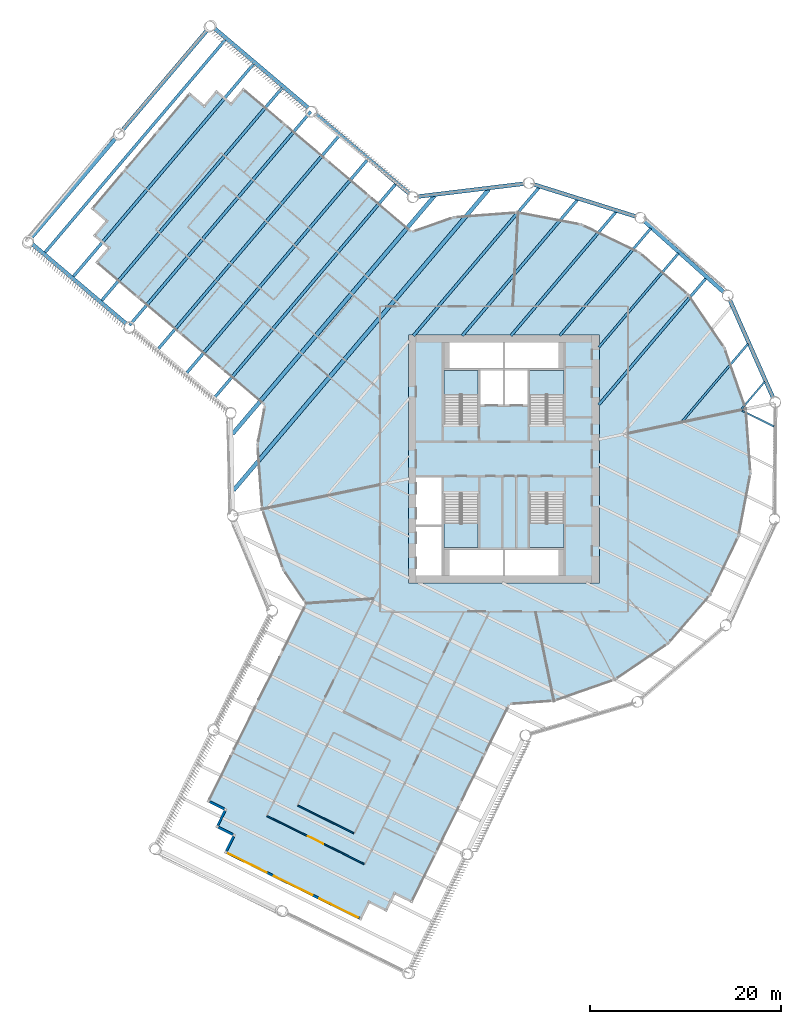
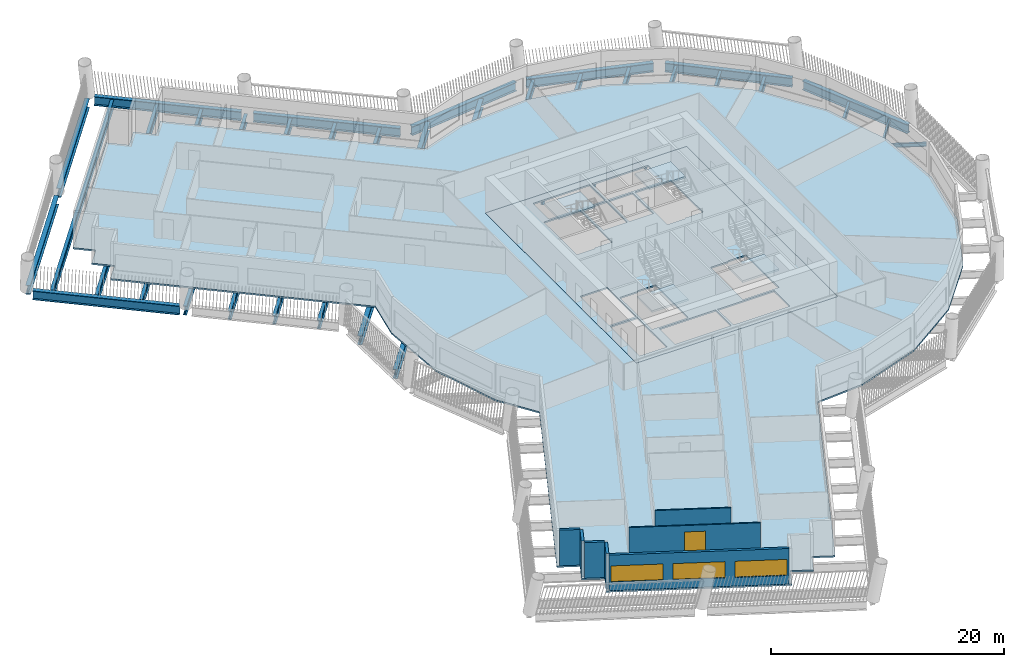
# One storey, part 2 of 16: 27 beams, 7 walls, 6 slabs, 3 windows, 1 door, 4 openings, 4 elements without a shape of their own.
"""IFC4 building model written with IfcOpenShell, lengths in metres."""

from ifc_helpers import new_model, si_unit, direction, frame, frame_2d, origin, origin_2d, place, context, subcontext, project, spatial, polyline, rectangle, i_section, outline, extrude, material, layer, layer_set, material_profile, profile_set, type_object, element, fill, aggregate, save


model = new_model("IFC4")

# Units and contexts
model_context = context("Model", 3, precision=1e-05, world=origin(), true_north=direction((0.0, 1.0)))
body_context = subcontext(model_context, "Body", "Model", "MODEL_VIEW")
ifc_project = project(units=[si_unit("LENGTHUNIT", "METRE"), si_unit("AREAUNIT", "SQUARE_METRE"), si_unit("VOLUMEUNIT", "CUBIC_METRE"), si_unit("PLANEANGLEUNIT", "RADIAN"), si_unit("MASSUNIT", "GRAM", prefix="KILO")], contexts=[model_context])

# Site, building, storey
site_placement = place(None, origin())
site = spatial("IfcSite", under=ifc_project, at=site_placement, CompositionType="ELEMENT")
building_placement = place(site_placement, origin())
building = spatial("IfcBuilding", under=site, at=building_placement, Name="Tarsis Ring Headquarters", CompositionType="ELEMENT")
storey_placement = place(building_placement, frame((0.0, 0.0, 104.5)))
storey = spatial("IfcBuildingStorey", under=building, at=storey_placement, Name="L23", CompositionType="ELEMENT", Elevation=104.5)

# Beams
ifc_material_1 = material(Name="Structural steel S355", Category="steel")
ifc_material_profile_1 = material_profile(ifc_material_1, i_section(OverallWidth=0.177734375, OverallDepth=0.406494140625, WebThickness=0.0078125, FlangeThickness=0.0126953125, at=origin_2d()), Name="W16x40")
ifc_profile_set_1 = profile_set([ifc_material_profile_1], Name="Structural steel S355")
beam_type_1 = type_object("IfcBeamType", Name="FB Floor beam W16x40", PredefinedType="JOIST", material=ifc_profile_set_1)
for number, where, z_axis, x_axis, name in (
    (1, (24.947998046875, 5.071044921875, -0.36328125), (0.896505373909, -0.44303285945, 0.0), (0.44303285945, 0.896505373909, 0.0), "Floor beam FB1"),
    (2, (27.330322265625, 8.107666015625, -0.36328125), (-0.646790049197, -0.762668100985, 0.0), (0.762668100985, -0.646790049197, 0.0), "Floor beam FB1"),
):
    element("IfcBeam", number, at=place(storey_placement, frame(where, z_axis=z_axis, x_axis=x_axis)), inside=storey, type_object=beam_type_1, Name=name, PredefinedType="JOIST", context=body_context, shape_type="SweptSolid", body=[
        extrude(i_section(OverallWidth=0.177734375, OverallDepth=0.406494140625, WebThickness=0.0078125, FlangeThickness=0.0126953125, at=origin_2d()), origin(), (0.0, 0.0, 1.0), 3.74169921875),
    ])
ifc_material_profile_2 = material_profile(ifc_material_1, i_section(OverallWidth=0.228271484375, OverallDepth=0.607177734375, WebThickness=0.01123046875, FlangeThickness=0.017333984375, at=origin_2d()), Name="W24x76")
ifc_profile_set_2 = profile_set([ifc_material_profile_2], Name="Structural steel S355")
beam_type_2 = type_object("IfcBeamType", Name="FB Floor beam W24x76", PredefinedType="JOIST", material=ifc_profile_set_2)
beam_1_placement = place(storey_placement, frame((25.576904296875, 12.06982421875, -0.463623046875), z_axis=(-0.64679194225, -0.762666495554, 0.0), x_axis=(0.762666495554, -0.64679194225, 0.0)))
element("IfcBeam", 3, at=beam_1_placement, inside=storey, type_object=beam_type_2, Name="Floor beam FB4", PredefinedType="JOIST", context=body_context, shape_type="SweptSolid", body=[
    extrude(i_section(OverallWidth=0.228271484375, OverallDepth=0.607177734375, WebThickness=0.01123046875, FlangeThickness=0.017333984375, at=origin_2d()), origin(), (0.0, 0.0, 1.0), 10.62109375),
])
ifc_material_profile_3 = material_profile(ifc_material_1, i_section(OverallWidth=0.2529296875, OverallDepth=0.67822265625, WebThickness=0.01171875, FlangeThickness=0.016357421875, at=origin_2d()), Name="W27x84")
ifc_profile_set_3 = profile_set([ifc_material_profile_3], Name="Structural steel S355")
beam_type_3 = type_object("IfcBeamType", Name="FB Floor beam W27x84", PredefinedType="JOIST", material=ifc_profile_set_3)
beam_2_placement = place(storey_placement, frame((18.299560546875, 21.578125, -0.4990234375), z_axis=(-0.646789829368, -0.762668287414, 0.0), x_axis=(0.762668287414, -0.646789829368, 0.0)))
element("IfcBeam", 4, at=beam_2_placement, inside=storey, type_object=beam_type_3, Name="Floor beam FB5", PredefinedType="JOIST", context=body_context, shape_type="SweptSolid", body=[
    extrude(i_section(OverallWidth=0.2529296875, OverallDepth=0.67822265625, WebThickness=0.01171875, FlangeThickness=0.016357421875, at=origin_2d()), origin(), (0.0, 0.0, 1.0), 12.931884765625),
])
ifc_material_profile_4 = material_profile(ifc_material_1, i_section(OverallWidth=0.2666015625, OverallDepth=0.7568359375, WebThickness=0.013916015625, FlangeThickness=0.019287109375, at=origin_2d()), Name="W30x108")
ifc_profile_set_4 = profile_set([ifc_material_profile_4], Name="Structural steel S355")
beam_type_4 = type_object("IfcBeamType", Name="FB Floor beam W30x108", PredefinedType="JOIST", material=ifc_profile_set_4)
beam_3_placement = place(storey_placement, frame((15.390625, 24.177734375, -0.538330078125), z_axis=(-0.646796988841, -0.762662215681, 0.0), x_axis=(0.762662215681, -0.646796988841, 0.0)))
element("IfcBeam", 5, at=beam_3_placement, inside=storey, type_object=beam_type_4, Name="Floor beam FB6", PredefinedType="JOIST", context=body_context, shape_type="SweptSolid", body=[
    extrude(i_section(OverallWidth=0.2666015625, OverallDepth=0.7568359375, WebThickness=0.013916015625, FlangeThickness=0.019287109375, at=origin_2d()), origin(), (0.0, 0.0, 1.0), 14.756103515625),
])
ifc_material_profile_5 = material_profile(ifc_material_1, i_section(OverallWidth=0.2919921875, OverallDepth=0.835693359375, WebThickness=0.013916015625, FlangeThickness=0.018798828125, at=origin_2d()), Name="W33x118")
ifc_profile_set_5 = profile_set([ifc_material_profile_5], Name="Structural steel S355")
beam_type_5 = type_object("IfcBeamType", Name="FB Floor beam W33x118", PredefinedType="JOIST", material=ifc_profile_set_5)
beam_4_placement = place(storey_placement, frame((21.20849609375, 18.978515625, -0.577880859375), z_axis=(-0.646787645153, -0.762670139757, 0.0), x_axis=(0.762670139757, -0.646787645153, 0.0)))
element("IfcBeam", 6, at=beam_4_placement, inside=storey, type_object=beam_type_5, Name="Floor beam FB7", PredefinedType="JOIST", context=body_context, shape_type="SweptSolid", body=[
    extrude(i_section(OverallWidth=0.2919921875, OverallDepth=0.835693359375, WebThickness=0.013916015625, FlangeThickness=0.018798828125, at=origin_2d()), origin(), (0.0, 0.0, 1.0), 17.429443359375),
])
beam_5_placement = place(storey_placement, frame((11.771240234375, 25.93994140625, -0.577880859375), z_axis=(-0.646785119599, -0.762672281563, 0.0), x_axis=(0.762672281563, -0.646785119599, 0.0)))
element("IfcBeam", 7, at=beam_5_placement, inside=storey, type_object=beam_type_5, Name="Floor beam FB7", PredefinedType="JOIST", context=body_context, shape_type="SweptSolid", body=[
    extrude(i_section(OverallWidth=0.2919921875, OverallDepth=0.835693359375, WebThickness=0.013916015625, FlangeThickness=0.018798828125, at=origin_2d()), origin(), (0.0, 0.0, 1.0), 17.06640625),
])
ifc_material_profile_6 = material_profile(ifc_material_1, i_section(OverallWidth=0.3046875, OverallDepth=0.904296875, WebThickness=0.01513671875, FlangeThickness=0.02001953125, at=origin_2d()), Name="W36x135")
ifc_profile_set_6 = profile_set([ifc_material_profile_6], Name="Structural steel S355")
beam_type_6 = type_object("IfcBeamType", Name="FB Floor beam W36x135", PredefinedType="JOIST", material=ifc_profile_set_6)
beam_6_placement = place(storey_placement, frame((7.733642578125, 27.20849609375, -0.612060546875), z_axis=(-0.64679669048, -0.762662468713, 0.0), x_axis=(0.762662468713, -0.64679669048, 0.0)))
element("IfcBeam", 8, at=beam_6_placement, inside=storey, type_object=beam_type_6, Name="Floor beam FB8", PredefinedType="JOIST", context=body_context, shape_type="SweptSolid", body=[
    extrude(i_section(OverallWidth=0.3046875, OverallDepth=0.904296875, WebThickness=0.01513671875, FlangeThickness=0.02001953125, at=origin_2d()), origin(), (0.0, 0.0, 1.0), 18.72998046875),
])
beam_7_placement = place(storey_placement, frame((3.696044921875, 28.477294921875, -0.612060546875), z_axis=(-0.646793504949, -0.762665170278, 0.0), x_axis=(0.762665170278, -0.646793504949, 0.0)))
element("IfcBeam", 9, at=beam_7_placement, inside=storey, type_object=beam_type_6, Name="Floor beam FB8", PredefinedType="JOIST", context=body_context, shape_type="SweptSolid", body=[
    extrude(i_section(OverallWidth=0.3046875, OverallDepth=0.904296875, WebThickness=0.01513671875, FlangeThickness=0.02001953125, at=origin_2d()), origin(), (0.0, 0.0, 1.0), 20.3935546875),
])
ifc_material_profile_7 = material_profile(ifc_material_1, i_section(OverallWidth=0.309814453125, OverallDepth=0.949951171875, WebThickness=0.0244140625, FlangeThickness=0.0439453125, at=origin_2d()), Name="W36x256")
ifc_profile_set_7 = profile_set([ifc_material_profile_7], Name="Structural steel S355")
beam_type_7 = type_object("IfcBeamType", Name="FB Floor beam W36x256", PredefinedType="JOIST", material=ifc_profile_set_7)
for number, where, z_axis, x_axis, name in (
    (10, (-11.32080078125, 28.859375, -0.635009765625), (-0.646789414375, -0.762668639353, 0.0), (0.762668639353, -0.646789414375, 0.0), "Floor beam FB11"),
    (11, (-14.295166015625, 31.3818359375, -0.635009765625), (-0.646789414375, -0.762668639353, 0.0), (0.762668639353, -0.646789414375, 0.0), "Floor beam FB11"),
):
    element("IfcBeam", number, at=place(storey_placement, frame(where, z_axis=z_axis, x_axis=x_axis)), inside=storey, type_object=beam_type_7, Name=name, PredefinedType="JOIST", context=body_context, shape_type="SweptSolid", body=[
        extrude(i_section(OverallWidth=0.309814453125, OverallDepth=0.949951171875, WebThickness=0.0244140625, FlangeThickness=0.0439453125, at=origin_2d()), origin(), (0.0, 0.0, 1.0), 29.3759765625),
    ])
beam_8_placement = place(storey_placement, frame((-17.269775390625, 33.904296875, -0.635009765625), z_axis=(-0.646784580175, -0.762672739022, 0.0), x_axis=(0.762672739022, -0.646784580175, 0.0)))
element("IfcBeam", 12, at=beam_8_placement, inside=storey, type_object=beam_type_7, Name="Floor beam FB11", PredefinedType="JOIST", context=body_context, shape_type="SweptSolid", body=[
    extrude(i_section(OverallWidth=0.309814453125, OverallDepth=0.949951171875, WebThickness=0.0244140625, FlangeThickness=0.0439453125, at=origin_2d()), origin(), (0.0, 0.0, 1.0), 29.375732421875),
])
for number, where, z_axis, x_axis, name in (
    (13, (-20.244140625, 36.4267578125, -0.635009765625), (-0.646789414375, -0.762668639353, 0.0), (0.762668639353, -0.646789414375, 0.0), "Floor beam FB11"),
    (14, (-23.218505859375, 38.94921875, -0.635009765625), (-0.646789414375, -0.762668639353, 0.0), (0.762668639353, -0.646789414375, 0.0), "Floor beam FB11"),
):
    element("IfcBeam", number, at=place(storey_placement, frame(where, z_axis=z_axis, x_axis=x_axis)), inside=storey, type_object=beam_type_7, Name=name, PredefinedType="JOIST", context=body_context, shape_type="SweptSolid", body=[
        extrude(i_section(OverallWidth=0.309814453125, OverallDepth=0.949951171875, WebThickness=0.0244140625, FlangeThickness=0.0439453125, at=origin_2d()), origin(), (0.0, 0.0, 1.0), 29.3759765625),
    ])
for number, where, z_axis, x_axis, name in (
    (15, (-26.19287109375, 41.4716796875, -0.635009765625), (-0.646793514055, -0.762665162556, 0.0), (0.762665162556, -0.646793514055, 0.0), "Floor beam FB11"),
    (16, (-29.167236328125, 43.994140625, -0.635009765625), (-0.646793514055, -0.762665162556, 0.0), (0.762665162556, -0.646793514055, 0.0), "Floor beam FB11"),
):
    element("IfcBeam", number, at=place(storey_placement, frame(where, z_axis=z_axis, x_axis=x_axis)), inside=storey, type_object=beam_type_7, Name=name, PredefinedType="JOIST", context=body_context, shape_type="SweptSolid", body=[
        extrude(i_section(OverallWidth=0.309814453125, OverallDepth=0.949951171875, WebThickness=0.0244140625, FlangeThickness=0.0439453125, at=origin_2d()), origin(), (0.0, 0.0, 1.0), 29.375732421875),
    ])
ifc_material_profile_8 = material_profile(ifc_material_1, i_section(OverallWidth=0.42431640625, OverallDepth=0.947509765625, WebThickness=0.02392578125, FlangeThickness=0.042724609375, at=origin_2d()), Name="W36x302")
ifc_profile_set_8 = profile_set([ifc_material_profile_8], Name="Structural steel S355")
beam_type_8 = type_object("IfcBeamType", Name="FB Floor beam W36x302", PredefinedType="JOIST", material=ifc_profile_set_8)
beam_9_placement = place(storey_placement, frame((-1.598388671875, 28.263916015625, -0.6337890625), z_axis=(-0.64679217295, -0.762666299905, 0.0), x_axis=(0.762666299905, -0.64679217295, 0.0)))
element("IfcBeam", 17, at=beam_9_placement, inside=storey, type_object=beam_type_8, Name="Floor beam FB12", PredefinedType="JOIST", context=body_context, shape_type="SweptSolid", body=[
    extrude(i_section(OverallWidth=0.42431640625, OverallDepth=0.947509765625, WebThickness=0.02392578125, FlangeThickness=0.042724609375, at=origin_2d()), origin(), (0.0, 0.0, 1.0), 41.35302734375),
])
beam_10_placement = place(storey_placement, frame((-7.296875, 27.57470703125, -0.6337890625), z_axis=(-0.646789480477, -0.762668583295, 0.0), x_axis=(0.762668583295, -0.646789480477, 0.0)))
element("IfcBeam", 18, at=beam_10_placement, inside=storey, type_object=beam_type_8, Name="Floor beam FB12", PredefinedType="JOIST", context=body_context, shape_type="SweptSolid", body=[
    extrude(i_section(OverallWidth=0.42431640625, OverallDepth=0.947509765625, WebThickness=0.02392578125, FlangeThickness=0.042724609375, at=origin_2d()), origin(), (0.0, 0.0, 1.0), 32.704833984375),
])
beam_type_9 = type_object("IfcBeamType", Name="XG Ring girder W36x302", PredefinedType="BEAM", material=ifc_profile_set_8)
beam_11_placement = place(storey_placement, frame((28.232177734375, 6.37158203125, -0.4736328125), z_axis=(-0.404681356171, 0.914457762812, 0.0), x_axis=(-0.914457762812, -0.404681356171, 0.0)))
element("IfcBeam", 19, at=beam_11_placement, inside=storey, type_object=beam_type_9, Name="Ring girder XG1", PredefinedType="BEAM", context=body_context, shape_type="SweptSolid", body=[
    extrude(i_section(OverallWidth=0.42431640625, OverallDepth=0.947509765625, WebThickness=0.02392578125, FlangeThickness=0.042724609375, at=origin_2d()), origin(), (0.0, 0.0, 1.0), 11.197021484375),
])
for number, where, z_axis, x_axis, name in (
    (20, (23.095947265625, 17.442138671875, -0.4736328125), (-0.74564434525, 0.666344138113, 0.0), (-0.666344138113, -0.74564434525, 0.0), "Ring girder XG1"),
    (21, (13.853271484375, 25.411376953125, -0.4736328125), (-0.954009752246, 0.299775570418, 0.0), (-0.299775570418, -0.954009752246, 0.0), "Ring girder XG1"),
    (22, (2.1474609375, 28.862548828125, -0.4736328125), (-0.992759883451, -0.120115834972, 0.0), (0.120115834972, -0.992759883451, 0.0), "Ring girder XG1"),
):
    element("IfcBeam", number, at=place(storey_placement, frame(where, z_axis=z_axis, x_axis=x_axis)), inside=storey, type_object=beam_type_9, Name=name, PredefinedType="BEAM", context=body_context, shape_type="SweptSolid", body=[
        extrude(i_section(OverallWidth=0.42431640625, OverallDepth=0.947509765625, WebThickness=0.02392578125, FlangeThickness=0.042724609375, at=origin_2d()), origin(), (0.0, 0.0, 1.0), 11.197265625),
    ])
for number, where, z_axis, x_axis, name in (
    (23, (-9.891845703125, 27.79443359375, -0.4736328125), (-0.762664466678, 0.646794334597, 0.0), (-0.646794334597, -0.762664466678, 0.0), "Ring girder XG1"),
    (24, (-20.49462890625, 36.7861328125, -0.4736328125), (-0.762664466678, 0.646794334597, 0.0), (-0.646794334597, -0.762664466678, 0.0), "Ring girder XG1"),
):
    element("IfcBeam", number, at=place(storey_placement, frame(where, z_axis=z_axis, x_axis=x_axis)), inside=storey, type_object=beam_type_9, Name=name, PredefinedType="BEAM", context=body_context, shape_type="SweptSolid", body=[
        extrude(i_section(OverallWidth=0.42431640625, OverallDepth=0.947509765625, WebThickness=0.02392578125, FlangeThickness=0.042724609375, at=origin_2d()), origin(), (0.0, 0.0, 1.0), 12.850830078125),
    ])
for number, where, z_axis, x_axis, name in (
    (25, (-31.036376953125, 45.037109375, -0.4736328125), (-0.646785639791, -0.762671840414, 0.0), (0.762671840414, -0.646785639791, 0.0), "Ring girder XG1"),
    (26, (-40.60888671875, 33.74951171875, -0.4736328125), (-0.646785639791, -0.762671840414, 0.0), (0.762671840414, -0.646785639791, 0.0), "Ring girder XG1"),
):
    element("IfcBeam", number, at=place(storey_placement, frame(where, z_axis=z_axis, x_axis=x_axis)), inside=storey, type_object=beam_type_9, Name=name, PredefinedType="BEAM", context=body_context, shape_type="SweptSolid", body=[
        extrude(i_section(OverallWidth=0.42431640625, OverallDepth=0.947509765625, WebThickness=0.02392578125, FlangeThickness=0.042724609375, at=origin_2d()), origin(), (0.0, 0.0, 1.0), 13.74853515625),
    ])
beam_12_placement = place(storey_placement, frame((-49.4404296875, 22.52294921875, -0.4736328125), z_axis=(0.762664466678, -0.646794334597, 0.0), x_axis=(0.646794334597, 0.762664466678, 0.0)))
element("IfcBeam", 27, at=beam_12_placement, inside=storey, type_object=beam_type_9, Name="Ring girder XG1", PredefinedType="BEAM", context=body_context, shape_type="SweptSolid", body=[
    extrude(i_section(OverallWidth=0.42431640625, OverallDepth=0.947509765625, WebThickness=0.02392578125, FlangeThickness=0.042724609375, at=origin_2d()), origin(), (0.0, 0.0, 1.0), 12.850830078125),
])

# Slab
ifc_material_2 = material(Name="Concrete C40/50", Category="concrete")
ifc_layer_1 = layer(ifc_material_2, 0.159912109375)
ifc_layer_set_1 = layer_set([ifc_layer_1], Name="Core floor slab 160 C40/50")
slab_type_1 = type_object("IfcSlabType", Name="Core floor slab 160 C40/50", PredefinedType="FLOOR", material=ifc_layer_set_1)
slab_1_placement = place(storey_placement, frame((0.0, 0.0, -0.159912109375)))
element("IfcSlab", 28, at=slab_1_placement, inside=storey, type_object=slab_type_1, Name="L23 core floor slab", PredefinedType="FLOOR", context=body_context, shape_type="SweptSolid", body=[
    extrude(outline(polyline([(-10.0, -13.0), (10.0, -13.0), (10.0, 13.0), (-10.0, 13.0), (-10.0, -13.0)]), holes=[polyline([(-2.5, 5.699951171875), (-0.10009765625, 5.699951171875), (-0.10009765625, 9.300048828125), (-2.5, 9.300048828125), (-2.5, 5.699951171875)]), polyline([(0.10009765625, 5.699951171875), (2.5, 5.699951171875), (2.5, 9.300048828125), (0.10009765625, 9.300048828125), (0.10009765625, 5.699951171875)]), polyline([(-9.199951171875, -12.199951171875), (-6.5, -12.199951171875), (-6.5, -7.10009765625), (-9.199951171875, -7.10009765625), (-9.199951171875, -12.199951171875)]), polyline([(-9.199951171875, -6.89990234375), (-6.5, -6.89990234375), (-6.5, -1.89990234375), (-9.199951171875, -1.89990234375), (-9.199951171875, -6.89990234375)]), polyline([(-5.699951171875, 9.5), (-0.10009765625, 9.5), (-0.10009765625, 12.199951171875), (-5.699951171875, 12.199951171875), (-5.699951171875, 9.5)]), polyline([(0.10009765625, 9.5), (5.699951171875, 9.5), (5.699951171875, 12.199951171875), (0.10009765625, 12.199951171875), (0.10009765625, 9.5)]), polyline([(-5.699951171875, -12.199951171875), (-0.10009765625, -12.199951171875), (-0.10009765625, -9.5), (-5.699951171875, -9.5), (-5.699951171875, -12.199951171875)]), polyline([(0.10009765625, -12.199951171875), (5.699951171875, -12.199951171875), (5.699951171875, -9.5), (0.10009765625, -9.5), (0.10009765625, -12.199951171875)]), polyline([(-2.699951171875, 3.760009765625), (-2.699951171875, 9.300048828125), (-6.300048828125, 9.300048828125), (-6.300048828125, 3.659912109375), (-4.4599609375, 3.659912109375), (-4.4599609375, 3.760009765625), (-2.699951171875, 3.760009765625)]), polyline([(6.300048828125, 3.760009765625), (6.300048828125, 9.300048828125), (2.699951171875, 9.300048828125), (2.699951171875, 3.659912109375), (4.5400390625, 3.659912109375), (4.5400390625, 3.760009765625), (6.300048828125, 3.760009765625)]), polyline([(-6.300048828125, -3.760009765625), (-6.300048828125, -9.300048828125), (-2.699951171875, -9.300048828125), (-2.699951171875, -3.659912109375), (-4.5400390625, -3.659912109375), (-4.5400390625, -3.760009765625), (-6.300048828125, -3.760009765625)]), polyline([(2.699951171875, -3.760009765625), (2.699951171875, -9.300048828125), (6.300048828125, -9.300048828125), (6.300048828125, -3.659912109375), (4.4599609375, -3.659912109375), (4.4599609375, -3.760009765625), (2.699951171875, -3.760009765625)])]), origin(), (0.0, 0.0, 1.0), 0.159912109375),
])

# Stair, slab
ifc_material_3 = material(Name="Core stair 1760")
stair_type = type_object("IfcStairType", Name="Core stair 1760", PredefinedType="HALF_TURN_STAIR", material=ifc_material_3)
stair_1_placement = place(storey_placement, origin())
stair_1 = element("IfcStair", 29, at=stair_1_placement, inside=storey, type_object=stair_type, Name="L23 Firefighting stair", PredefinedType="HALF_TURN_STAIR")
ifc_layer_2 = layer(ifc_material_2, 0.199951171875)
ifc_layer_set_2 = layer_set([ifc_layer_2], Name="Core stair landing 200")
slab_type_2 = type_object("IfcSlabType", Name="Core stair landing 200", PredefinedType="LANDING", material=ifc_layer_set_2)
slab_2_placement = place(storey_placement, frame((0.0, 0.0, 1.75)))
slab_2 = element("IfcSlab", 30, at=slab_2_placement, type_object=slab_type_2, Name="Stair ST1 landing 1", PredefinedType="LANDING", context=body_context, shape_type="SweptSolid", body=[
    extrude(outline(polyline([(-2.699951171875, 6.739990234375), (-2.699951171875, 9.300048828125), (-6.300048828125, 9.300048828125), (-6.300048828125, 6.739990234375), (-2.699951171875, 6.739990234375)])), origin(), (0.0, 0.0, 1.0), 0.199951171875),
])
aggregate(stair_1, [slab_2])

stair_2_placement = place(storey_placement, origin())
stair_2 = element("IfcStair", 31, at=stair_2_placement, inside=storey, type_object=stair_type, Name="L23 Exit stair B", PredefinedType="HALF_TURN_STAIR")
slab_3_placement = place(storey_placement, frame((0.0, 0.0, 1.75)))
slab_3 = element("IfcSlab", 32, at=slab_3_placement, type_object=slab_type_2, Name="Stair ST2 landing 1", PredefinedType="LANDING", context=body_context, shape_type="SweptSolid", body=[
    extrude(outline(polyline([(6.300048828125, 6.739990234375), (6.300048828125, 9.300048828125), (2.699951171875, 9.300048828125), (2.699951171875, 6.739990234375), (6.300048828125, 6.739990234375)])), origin(), (0.0, 0.0, 1.0), 0.199951171875),
])
aggregate(stair_2, [slab_3])

stair_3_placement = place(storey_placement, origin())
stair_3 = element("IfcStair", 33, at=stair_3_placement, inside=storey, type_object=stair_type, Name="L23 Exit stair C", PredefinedType="HALF_TURN_STAIR")
slab_4_placement = place(storey_placement, frame((0.0, 0.0, 1.75)))
slab_4 = element("IfcSlab", 34, at=slab_4_placement, type_object=slab_type_2, Name="Stair ST3 landing 1", PredefinedType="LANDING", context=body_context, shape_type="SweptSolid", body=[
    extrude(outline(polyline([(-6.300048828125, -6.739990234375), (-6.300048828125, -9.300048828125), (-2.699951171875, -9.300048828125), (-2.699951171875, -6.739990234375), (-6.300048828125, -6.739990234375)])), origin(), (0.0, 0.0, 1.0), 0.199951171875),
])
aggregate(stair_3, [slab_4])

stair_4_placement = place(storey_placement, origin())
stair_4 = element("IfcStair", 35, at=stair_4_placement, inside=storey, type_object=stair_type, Name="L23 Exit stair D", PredefinedType="HALF_TURN_STAIR")
slab_5_placement = place(storey_placement, frame((0.0, 0.0, 1.75)))
slab_5 = element("IfcSlab", 36, at=slab_5_placement, type_object=slab_type_2, Name="Stair ST4 landing 1", PredefinedType="LANDING", context=body_context, shape_type="SweptSolid", body=[
    extrude(outline(polyline([(2.699951171875, -6.739990234375), (2.699951171875, -9.300048828125), (6.300048828125, -9.300048828125), (6.300048828125, -6.739990234375), (2.699951171875, -6.739990234375)])), origin(), (0.0, 0.0, 1.0), 0.199951171875),
])
aggregate(stair_4, [slab_5])

# Slab
ifc_material_4 = material(Name="Concrete C35/45", Category="concrete")
ifc_layer_3 = layer(ifc_material_4, 0.159912109375)
ifc_layer_set_3 = layer_set([ifc_layer_3], Name="FS Composite floor slab 160")
slab_type_3 = type_object("IfcSlabType", Name="FS Composite floor slab 160", PredefinedType="FLOOR", material=ifc_layer_set_3)
slab_6_placement = place(storey_placement, frame((0.0, 0.0, -0.159912109375)))
element("IfcSlab", 37, at=slab_6_placement, inside=storey, type_object=slab_type_3, Name="Floor slab L23", PredefinedType="FLOOR", context=body_context, shape_type="SweptSolid", body=[
    extrude(outline(polyline([(-25.171630859375, 5.61279296875), (-25.956787109375, 1.49658203125), (-25.459716796875, -5.2724609375), (-23.2275390625, -11.682373046875), (-20.872314453125, -15.148193359375), (-31.13916015625, -35.921630859375), (-29.34619140625, -36.8076171875), (-30.232177734375, -38.6005859375), (-28.439208984375, -39.48681640625), (-29.325439453125, -41.27978515625), (-14.981689453125, -48.368896484375), (-14.095458984375, -46.575927734375), (-12.302490234375, -47.462158203125), (-11.41650390625, -45.669189453125), (-9.62353515625, -46.55517578125), (0.63427734375, -25.80029296875), (5.2724609375, -25.459716796875), (11.682373046875, -23.2275390625), (17.2958984375, -19.41259765625), (21.73095703125, -14.274658203125), (24.68505859375, -8.163818359375), (25.956787109375, -1.49658203125), (25.459716796875, 5.2724609375), (23.2275390625, 11.682373046875), (19.41259765625, 17.2958984375), (14.274658203125, 21.73095703125), (8.163818359375, 24.68505859375), (1.49658203125, 25.956787109375), (-5.2724609375, 25.459716796875), (-9.66455078125, 23.930419921875), (-27.3212890625, 38.904296875), (-28.61474609375, 37.37890625), (-30.14013671875, 38.672607421875), (-31.433837890625, 37.147216796875), (-32.958984375, 38.44091796875), (-43.3076171875, 26.238037109375), (-41.782470703125, 24.944580078125), (-43.075927734375, 23.419189453125), (-41.550537109375, 22.125732421875), (-42.84423828125, 20.600341796875), (-25.171630859375, 5.61279296875)]), holes=[polyline([(-10.0, -13.0), (-10.0, 13.0), (10.0, 13.0), (10.0, -13.0), (-10.0, -13.0)])]), origin(), (0.0, 0.0, 1.0), 0.159912109375),
])

# Wall, opening, door
ifc_material_5 = material(Name="Gypsum board on steel studs", Category="steel")
ifc_layer_4 = layer(ifc_material_5, 0.125)
ifc_layer_set_4 = layer_set([ifc_layer_4], Name="FL partition 125 EI 60 H2770")
wall_type_1 = type_object("IfcWallType", Name="FL partition 125 EI 60 H2770", PredefinedType="PARTITIONING", material=ifc_layer_set_4)
wall_1_placement = place(storey_placement, frame((-24.822021484375, -37.42626953125, 0.0), z_axis=(0.0, 0.0, 1.0), x_axis=(0.896488688413, -0.44306662202, 0.0)))
wall_1 = element("IfcWall", 38, at=wall_1_placement, inside=storey, type_object=wall_type_1, Name="Partition PW1", PredefinedType="PARTITIONING", context=body_context, shape_type="SweptSolid", body=[
    extrude(rectangle(XDim=11.340087890625, YDim=0.125, at=frame_2d((5.669921875, 0.0))), origin(), (0.0, 0.0, 1.0), 2.77001953125),
])
opening_1_placement = place(wall_1_placement, frame((4.77001953125, 0.0, 0.0)))
opening_1 = element("IfcOpeningElement", 39, at=opening_1_placement, cuts=wall_1, Name="Opening D23.13", PredefinedType="OPENING", context=body_context, shape_type="SweptSolid", body=[
    extrude(rectangle(XDim=1.800048828125, YDim=2.10009765625, at=frame_2d((0.89990234375, 1.050048828125))), frame((0.0, 0.072509765625, 0.0), z_axis=(0.0, -1.0, 0.0), x_axis=(1.0, 0.0, 0.0)), (0.0, 0.0, 1.0), 0.14501953125),
])
ifc_material_6 = material(Name="Fire-rated timber door leaf in steel frame", Category="steel")
door_type = type_object("IfcDoorType", Name="FL door FD60-1800", OperationType="DOUBLE_DOOR_SINGLE_SWING", PredefinedType="DOOR", material=ifc_material_6)
door_placement = place(opening_1_placement, origin())
door = element("IfcDoor", 40, at=door_placement, inside=storey, type_object=door_type, Name="Door D23.13", OperationType="DOUBLE_DOOR_SINGLE_SWING", OverallHeight=2.10009765625, OverallWidth=1.800048828125, PredefinedType="DOOR", context=body_context, shape_type="SweptSolid", body=[
    extrude(rectangle(XDim=1.800048828125, YDim=2.10009765625, at=frame_2d((0.89990234375, 1.050048828125))), frame((0.0, 0.02490234375, 0.0), z_axis=(0.0, -1.0, 0.0), x_axis=(1.0, 0.0, 0.0)), (0.0, 0.0, 1.0), 0.050048828125),
])
fill(opening_1, door)

# Walls
wall_2_placement = place(storey_placement, frame((-21.60693359375, -36.338134765625, 0.0), z_axis=(0.0, 0.0, 1.0), x_axis=(0.896500550186, -0.443042620429, 0.0)))
element("IfcWall", 41, at=wall_2_placement, inside=storey, type_object=wall_type_1, Name="Partition PW1", PredefinedType="PARTITIONING", context=body_context, shape_type="SweptSolid", body=[
    extrude(rectangle(XDim=6.539794921875, YDim=0.125, at=frame_2d((3.27001953125, 0.0))), origin(), (0.0, 0.0, 1.0), 2.77001953125),
])
ifc_material_7 = material(Name="Terracotta clad insulated panel wall", Category="masonry")
ifc_layer_5 = layer(ifc_material_7, 0.25)
ifc_layer_set_5 = layer_set([ifc_layer_5], Name="Facade wall terracotta panel 250")
wall_type_2 = type_object("IfcWallType", Name="Facade wall terracotta panel 250", PredefinedType="STANDARD", material=ifc_layer_set_5)
for number, where, z_axis, x_axis, name in (
    (42, (-30.859619140625, -35.920166015625, 0.0), (0.0, 0.0, 1.0), (0.89648238593, -0.44307937406, 0.0), "External wall L23-07"),
    (43, (-29.234130859375, -36.863037109375, 0.0), (0.0, 0.0, 1.0), (-0.44307937406, -0.89648238593, 0.0), "External wall L23-08"),
    (44, (-29.952880859375, -38.599365234375, 0.0), (0.0, 0.0, 1.0), (0.89648238593, -0.44307937406, 0.0), "External wall L23-09"),
    (45, (-28.3271484375, -39.542236328125, 0.0), (0.0, 0.0, 1.0), (-0.44307937406, -0.89648238593, 0.0), "External wall L23-10"),
):
    element("IfcWall", number, at=place(storey_placement, frame(where, z_axis=z_axis, x_axis=x_axis)), inside=storey, type_object=wall_type_2, Name=name, PredefinedType="STANDARD", context=body_context, shape_type="SweptSolid", body=[
        extrude(rectangle(XDim=1.75, YDim=0.25, at=frame_2d((0.875, 0.0))), origin(), (0.0, 0.0, 1.0), 3.739990234375),
    ])

# Wall, openings, windows
wall_3_placement = place(storey_placement, frame((-29.0458984375, -41.278564453125, 0.0), z_axis=(0.0, 0.0, 1.0), x_axis=(0.896490429911, -0.443063098302, 0.0)))
wall_3 = element("IfcWall", 46, at=wall_3_placement, inside=storey, type_object=wall_type_2, Name="External wall L23-11", PredefinedType="STANDARD", context=body_context, shape_type="SweptSolid", body=[
    extrude(rectangle(XDim=15.5, YDim=0.25, at=frame_2d((7.75, 0.0))), origin(), (0.0, 0.0, 1.0), 3.739990234375),
])
opening_2_placement = place(wall_3_placement, frame((0.166748046875, 0.0, 0.89990234375)))
opening_2 = element("IfcOpeningElement", 47, at=opening_2_placement, cuts=wall_3, Name="Opening WN04", PredefinedType="OPENING", context=body_context, shape_type="SweptSolid", body=[
    extrude(rectangle(XDim=4.5, YDim=1.699951171875, at=frame_2d((2.25, 0.85009765625))), frame((0.0, 0.135009765625, 0.0), z_axis=(0.0, -1.0, 0.0), x_axis=(1.0, 0.0, 0.0)), (0.0, 0.0, 1.0), 0.27001953125),
])
opening_3_placement = place(wall_3_placement, frame((5.5, 0.0, 0.89990234375)))
opening_3 = element("IfcOpeningElement", 48, at=opening_3_placement, cuts=wall_3, Name="Opening WN04", PredefinedType="OPENING", context=body_context, shape_type="SweptSolid", body=[
    extrude(rectangle(XDim=4.5, YDim=1.699951171875, at=frame_2d((2.25, 0.85009765625))), frame((0.0, 0.135009765625, 0.0), z_axis=(0.0, -1.0, 0.0), x_axis=(1.0, 0.0, 0.0)), (0.0, 0.0, 1.0), 0.27001953125),
])
opening_4_placement = place(wall_3_placement, frame((10.833251953125, 0.0, 0.89990234375)))
opening_4 = element("IfcOpeningElement", 49, at=opening_4_placement, cuts=wall_3, Name="Opening WN04", PredefinedType="OPENING", context=body_context, shape_type="SweptSolid", body=[
    extrude(rectangle(XDim=4.5, YDim=1.699951171875, at=frame_2d((2.25, 0.85009765625))), frame((0.0, 0.135009765625, 0.0), z_axis=(0.0, -1.0, 0.0), x_axis=(1.0, 0.0, 0.0)), (0.0, 0.0, 1.0), 0.27001953125),
])
ifc_material_8 = material(Name="Aluminium framed double glazing", Category="aluminium")
window_type = type_object("IfcWindowType", Name="Facade window 4500 x 1700", PartitioningType="SINGLE_PANEL", PredefinedType="WINDOW", material=ifc_material_8)
window_1_placement = place(opening_2_placement, origin())
window_1 = element("IfcWindow", 50, at=window_1_placement, inside=storey, type_object=window_type, Name="Window L23-11.1", OverallHeight=1.699951171875, OverallWidth=4.5, PartitioningType="SINGLE_PANEL", PredefinedType="WINDOW", context=body_context, shape_type="SweptSolid", body=[
    extrude(rectangle(XDim=4.5, YDim=1.699951171875, at=frame_2d((2.25, 0.85009765625))), frame((0.0, 0.030029296875, 0.0), z_axis=(0.0, -1.0, 0.0), x_axis=(1.0, 0.0, 0.0)), (0.0, 0.0, 1.0), 0.06005859375),
])
fill(opening_2, window_1)
window_2_placement = place(opening_3_placement, origin())
window_2 = element("IfcWindow", 51, at=window_2_placement, inside=storey, type_object=window_type, Name="Window L23-11.2", OverallHeight=1.699951171875, OverallWidth=4.5, PartitioningType="SINGLE_PANEL", PredefinedType="WINDOW", context=body_context, shape_type="SweptSolid", body=[
    extrude(rectangle(XDim=4.5, YDim=1.699951171875, at=frame_2d((2.25, 0.85009765625))), frame((0.0, 0.030029296875, 0.0), z_axis=(0.0, -1.0, 0.0), x_axis=(1.0, 0.0, 0.0)), (0.0, 0.0, 1.0), 0.06005859375),
])
fill(opening_3, window_2)
window_3_placement = place(opening_4_placement, origin())
window_3 = element("IfcWindow", 52, at=window_3_placement, inside=storey, type_object=window_type, Name="Window L23-11.3", OverallHeight=1.699951171875, OverallWidth=4.5, PartitioningType="SINGLE_PANEL", PredefinedType="WINDOW", context=body_context, shape_type="SweptSolid", body=[
    extrude(rectangle(XDim=4.5, YDim=1.699951171875, at=frame_2d((2.25, 0.85009765625))), frame((0.0, 0.030029296875, 0.0), z_axis=(0.0, -1.0, 0.0), x_axis=(1.0, 0.0, 0.0)), (0.0, 0.0, 1.0), 0.06005859375),
])
fill(opening_4, window_3)

save(model, "model.ifc")
